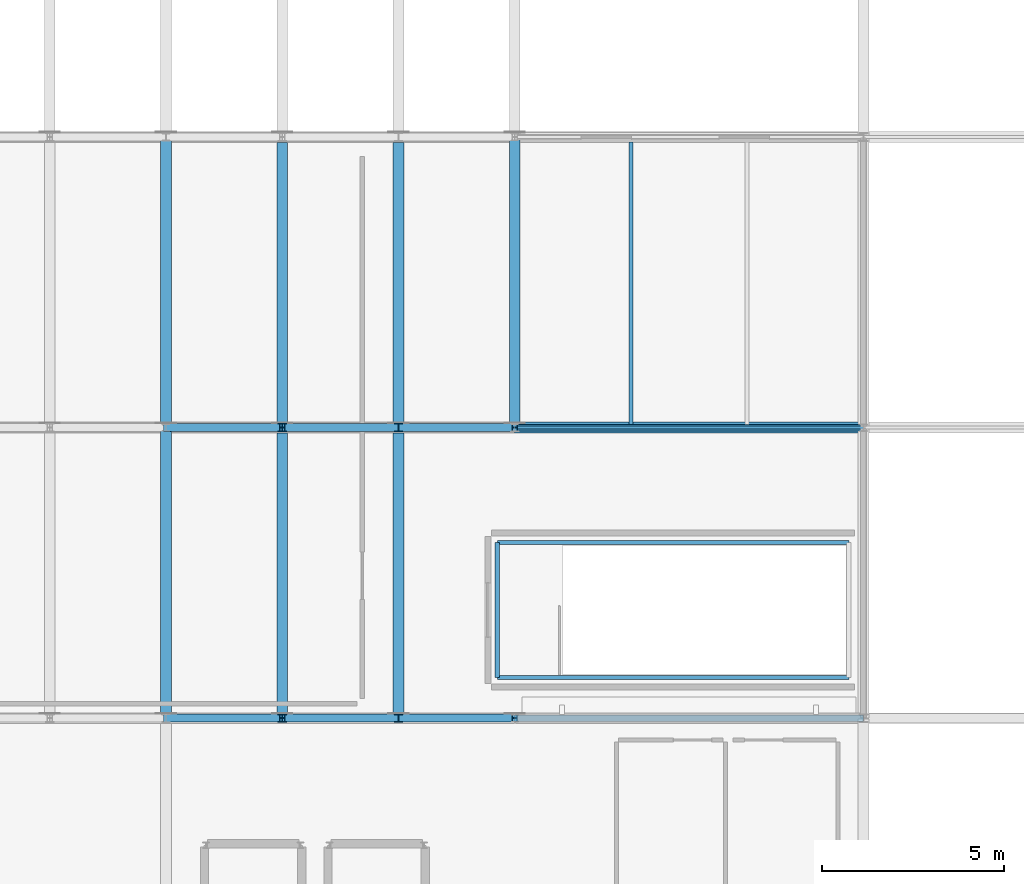
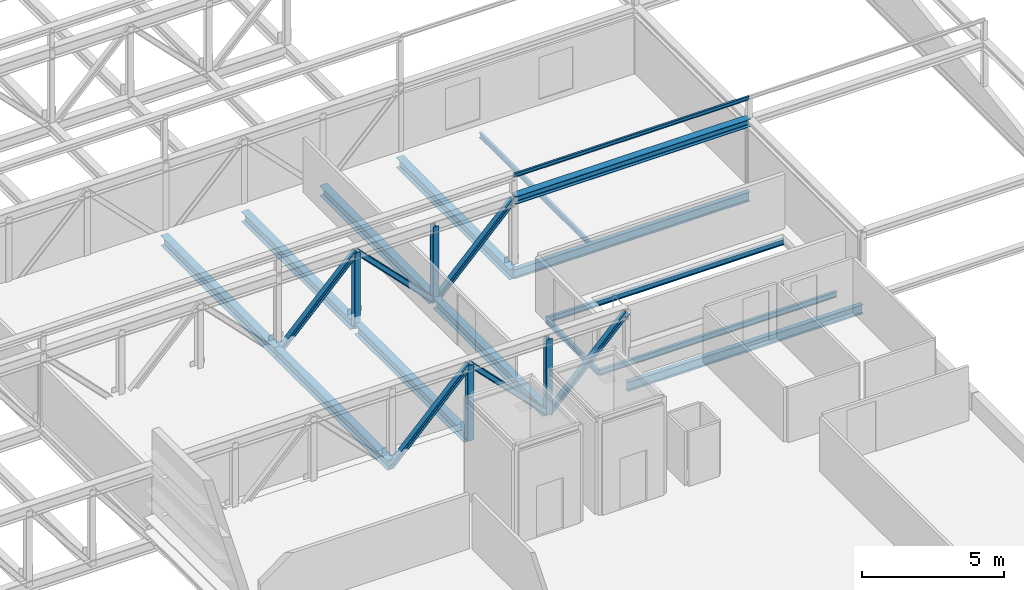
# One storey, part 15 of 34: 14 beams, 11 members.
"""IFC4 building model written with IfcOpenShell, lengths in metres."""

import ifcopenshell
import ifcopenshell.guid

model = None  # the IFC model being written
_history = None  # IfcOwnerHistory: only IFC2X3 demands one
_inside = {}  # id of a spatial element -> (the spatial element, [elements in it])
_under = {}  # id of a project, library or spatial element -> (it, [spatial elements below it])
_declared = {}  # id of a project -> (the project, [libraries it declares])
_typed = {}  # id of a type object -> (the type object, [elements of that type])
_made_of = {}  # id of a material, layer set ... -> (it, [elements and type objects made of it])


def new_model(schema):
    """Start an empty IFC model of exactly this schema.

    Asked for "IFC4X3", IfcOpenShell would pick the latest addendum, in which some entities
    have other attributes; the version numbers below select the first issue.
    IFC2X3 requires an IfcOwnerHistory on every rooted entity: one is made here for all.
    """
    global model, _history
    if schema == "IFC4X3":
        model = ifcopenshell.file(schema_version=(4, 3, 0, 0))
    else:
        model = ifcopenshell.file(schema=schema)
    _inside.clear()
    _under.clear()
    _declared.clear()
    _typed.clear()
    _made_of.clear()
    _history = None
    if model.schema == "IFC2X3":
        org = make("IfcOrganization", Name="unknown")
        user = make(
            "IfcPersonAndOrganization",
            ThePerson=make("IfcPerson", FamilyName="unknown"),
            TheOrganization=org,
        )
        app = make(
            "IfcApplication",
            ApplicationDeveloper=org,
            Version="unknown",
            ApplicationFullName="unknown",
            ApplicationIdentifier="unknown",
        )
        _history = make(
            "IfcOwnerHistory",
            OwningUser=user,
            OwningApplication=app,
            ChangeAction="ADDED",
            CreationDate=0,
        )
    return model


def make(cls, **values):
    """One entity of the class cls with the attributes given. An attribute that is None is left unset."""
    return model.create_entity(
        cls, **{name: value for name, value in values.items() if value is not None}
    )


def rooted(cls, **values):
    """An entity with a GlobalId (a new one), such as an element, a storey or a relation."""
    return make(cls, GlobalId=ifcopenshell.guid.new(), OwnerHistory=_history, **values)


def si_unit(unit_type, name, prefix=None):
    """IfcSIUnit, for example si_unit("LENGTHUNIT", "METRE", prefix="MILLI")."""
    return make("IfcSIUnit", UnitType=unit_type, Prefix=prefix, Name=name)


def assignment(units):
    """IfcUnitAssignment: the units of a project."""
    return None if units is None else make("IfcUnitAssignment", Units=units)


def point(xyz):
    """IfcCartesianPoint."""
    return None if xyz is None else make("IfcCartesianPoint", Coordinates=xyz)


def direction(xyz):
    """IfcDirection."""
    return None if xyz is None else make("IfcDirection", DirectionRatios=xyz)


def frame(location, z_axis=None, x_axis=None):
    """IfcAxis2Placement3D, a coordinate frame: its origin and axes. An axis left out is left unset."""
    return make(
        "IfcAxis2Placement3D",
        Location=point(location),
        Axis=direction(z_axis),
        RefDirection=direction(x_axis),
    )


def frame_2d(location, x_axis=None):
    """IfcAxis2Placement2D, a coordinate frame in the plane: its origin and x axis."""
    return make(
        "IfcAxis2Placement2D", Location=point(location), RefDirection=direction(x_axis)
    )


def origin():
    """The frame at (0, 0, 0) with its axes left unset."""
    return frame((0.0, 0.0, 0.0))


def origin_2d():
    """The frame at (0, 0) in the plane with its x axis left unset."""
    return frame_2d((0.0, 0.0))


def place(relative_to, where):
    """IfcLocalPlacement: puts the frame where relative to a parent placement (None: the world)."""
    return make(
        "IfcLocalPlacement", PlacementRelTo=relative_to, RelativePlacement=where
    )


def context(
    kind, dimensions, precision=None, world=None, true_north=None, identifier=None
):
    """IfcGeometricRepresentationContext, for example the 3D "Model" context."""
    return make(
        "IfcGeometricRepresentationContext",
        ContextIdentifier=identifier,
        ContextType=kind,
        CoordinateSpaceDimension=dimensions,
        Precision=precision,
        WorldCoordinateSystem=world,
        TrueNorth=true_north,
    )


def subcontext(parent, identifier, kind, view, scale=None):
    """IfcGeometricRepresentationSubContext, for example "Body" below "Model"."""
    return make(
        "IfcGeometricRepresentationSubContext",
        ContextIdentifier=identifier,
        ContextType=kind,
        ParentContext=parent,
        TargetScale=scale,
        TargetView=view,
    )


def project(units=None, contexts=None):
    """IfcProject with its units and contexts."""
    return rooted(
        "IfcProject",
        Name="project",
        RepresentationContexts=contexts,
        UnitsInContext=assignment(units),
    )


def spatial(cls, under=None, at=None, **own):
    """A site, building, storey or space (cls), placed at a placement, below another one or the project."""
    s = rooted(cls, ObjectPlacement=at, **own)
    if under is not None:
        _under.setdefault(under.id(), (under, []))[1].append(s)
    return s


def profile(cls, at=None, kind="AREA", **sizes):
    """A parametric profile (cls). Its sizes go by their IFC names, for example OverallWidth=200.0."""
    return make(cls, ProfileType=kind, Position=at, **sizes)


def i_section(**sizes):
    """IfcIShapeProfileDef."""
    return profile("IfcIShapeProfileDef", **sizes)


def extrude(swept, where, along, depth):
    """IfcExtrudedAreaSolid: the profile swept, set in the frame where, extruded along a direction by depth."""
    return make(
        "IfcExtrudedAreaSolid",
        SweptArea=swept,
        Position=where,
        ExtrudedDirection=direction(along),
        Depth=depth,
    )


def shape(context_of_items, identifier, shape_type, items):
    """IfcShapeRepresentation: the items that make up one representation, for example the "Body"."""
    return make(
        "IfcShapeRepresentation",
        ContextOfItems=context_of_items,
        RepresentationIdentifier=identifier,
        RepresentationType=shape_type,
        Items=items,
    )


def material(Name=None, Category=None):
    """IfcMaterial."""
    return make("IfcMaterial", Name=Name, Category=Category)


def material_profile(
    of_material, cross_section, Name=None, Category=None, Priority=None
):
    """IfcMaterialProfile: a cross section and its material."""
    return make(
        "IfcMaterialProfile",
        Name=Name,
        Material=of_material,
        Profile=cross_section,
        Priority=Priority,
        Category=Category,
    )


def profile_set(profiles, Name=None, composite=None):
    """IfcMaterialProfileSet."""
    return make(
        "IfcMaterialProfileSet",
        Name=Name,
        MaterialProfiles=profiles,
        CompositeProfile=composite,
    )


def made_of(thing, what):
    """Note that an element or type object is made of a material, layer set ...; save() writes the relation."""
    if what is not None:
        _made_of.setdefault(what.id(), (what, []))[1].append(thing)
    return thing


def type_object(cls, material=None, **own):
    """A type object (cls), such as IfcWallType, which elements share."""
    return made_of(rooted(cls, **own), material)


def element(
    cls,
    number,
    at=None,
    inside=None,
    cuts=None,
    type_object=None,
    material=None,
    context=None,
    identifier="Body",
    shape_type=None,
    held_by="IfcProductDefinitionShape",
    body=None,
    shapes=None,
    **own,
):
    """One element of the class cls, such as IfcWall. Its Tag is "e" and its number.

    at: its placement. inside: the storey or other place that contains it. cuts: it is an
    opening in that element (IfcRelVoidsElement). A single representation is given by context,
    identifier, shape_type and body (its items); several are given by shapes. held_by: the class
    of the entity that holds the representations. save() writes the other relations.
    """
    e = rooted(cls, Tag="e%d" % number, ObjectPlacement=at, **own)
    if body is not None:
        shapes = [shape(context, identifier, shape_type, body)]
    if shapes is not None:
        e.Representation = make(held_by, Representations=shapes)
    if inside is not None:
        _inside.setdefault(inside.id(), (inside, []))[1].append(e)
    if cuts is not None:
        rooted(
            "IfcRelVoidsElement", RelatingBuildingElement=cuts, RelatedOpeningElement=e
        )
    if type_object is not None:
        _typed.setdefault(type_object.id(), (type_object, []))[1].append(e)
    return made_of(e, material)


def aggregate(whole, parts):
    """IfcRelAggregates: a whole, such as a stair, and the parts it consists of."""
    return rooted("IfcRelAggregates", RelatingObject=whole, RelatedObjects=parts)


def save(model, path):
    """Write the relations noted so far, then the file.

    IfcRelAggregates (storeys below a building ...), IfcRelContainedInSpatialStructure (elements
    in a storey), IfcRelDefinesByType, IfcRelAssociatesMaterial and IfcRelDeclares: one each for
    every whole, place, type object, material and project.
    """
    for whole, parts in _under.values():
        aggregate(whole, parts)
    for where, things in _inside.values():
        rooted(
            "IfcRelContainedInSpatialStructure",
            RelatedElements=things,
            RelatingStructure=where,
        )
    for kind, things in _typed.values():
        rooted("IfcRelDefinesByType", RelatedObjects=things, RelatingType=kind)
    for what, things in _made_of.values():
        rooted("IfcRelAssociatesMaterial", RelatedObjects=things, RelatingMaterial=what)
    for by, libraries in _declared.values():
        rooted("IfcRelDeclares", RelatingContext=by, RelatedDefinitions=libraries)
    model.write(path)


model = new_model("IFC4")

# Units and contexts
model_context = context("Model", 3, precision=1e-05, world=origin(), true_north=direction((0.0, 1.0)))
body_context = subcontext(model_context, "Body", "Model", "MODEL_VIEW")
ifc_project = project(units=[si_unit("LENGTHUNIT", "METRE"), si_unit("AREAUNIT", "SQUARE_METRE"), si_unit("VOLUMEUNIT", "CUBIC_METRE"), si_unit("PLANEANGLEUNIT", "RADIAN"), si_unit("MASSUNIT", "GRAM", prefix="KILO")], contexts=[model_context])

# Site, building, storey
site_placement = place(None, origin())
site = spatial("IfcSite", under=ifc_project, at=site_placement, CompositionType="ELEMENT")
building_placement = place(site_placement, origin())
building = spatial("IfcBuilding", under=site, at=building_placement, Name="Alderhovde Museum", CompositionType="ELEMENT")
storey_placement = place(building_placement, frame((0.0, 0.0, 25.800048828125)))
storey = spatial("IfcBuildingStorey", under=building, at=storey_placement, Name="L05", CompositionType="ELEMENT", Elevation=25.800048828125)

# Beams
ifc_material_1 = material(Name="Steel S355J2", Category="steel")
ifc_material_profile_1 = material_profile(ifc_material_1, i_section(OverallWidth=0.300048828125, OverallDepth=0.330078125, WebThickness=0.009521484375, FlangeThickness=0.0166015625, FilletRadius=0.027099609375, at=origin_2d()), Name="HEA 340")
ifc_profile_set_1 = profile_set([ifc_material_profile_1], Name="Steel S355J2")
beam_type_1 = type_object("IfcBeamType", Name="BM-HEA340", PredefinedType="BEAM", material=ifc_profile_set_1)
beam_1_placement = place(storey_placement, frame((28.800048828125, 88.0, 2.75), z_axis=(1.0, 0.0, 0.0), x_axis=(0.0, 1.0, 0.0)))
element("IfcBeam", 1, at=beam_1_placement, inside=storey, type_object=beam_type_1, Name="L05 Vol 4 Roof Beam Y=88", PredefinedType="BEAM", context=body_context, shape_type="SweptSolid", body=[
    extrude(i_section(OverallWidth=0.300048828125, OverallDepth=0.330078125, WebThickness=0.009521484375, FlangeThickness=0.0166015625, FilletRadius=0.027099609375, at=origin_2d()), origin(), (0.0, 0.0, 1.0), 9.599853515625),
])
ifc_material_2 = material(Name="Steel S355J2", Category="steel")
ifc_material_profile_2 = material_profile(ifc_material_2, i_section(OverallWidth=0.300048828125, OverallDepth=0.43994140625, WebThickness=0.011474609375, FlangeThickness=0.02099609375, FilletRadius=0.027099609375, at=origin_2d()), Name="HEA 450")
ifc_profile_set_2 = profile_set([ifc_material_profile_2], Name="Steel S355J2")
beam_type_2 = type_object("IfcBeamType", Name="BM-HEA450", PredefinedType="BEAM", material=ifc_profile_set_2)
for number, where, z_axis, x_axis, name in (
    (2, (19.199951171875, 80.0, -0.47998046875), (0.0, 1.0, 0.0), (-1.0, 0.0, 0.0), "L05 Transfer Transverse Beam X=19.2"),
    (3, (19.199951171875, 88.0, -0.47998046875), (0.0, 1.0, 0.0), (-1.0, 0.0, 0.0), "L05 Transfer Transverse Beam X=19.2"),
):
    element("IfcBeam", number, at=place(storey_placement, frame(where, z_axis=z_axis, x_axis=x_axis)), inside=storey, type_object=beam_type_2, Name=name, PredefinedType="BEAM", context=body_context, shape_type="SweptSolid", body=[
        extrude(i_section(OverallWidth=0.300048828125, OverallDepth=0.43994140625, WebThickness=0.011474609375, FlangeThickness=0.02099609375, FilletRadius=0.027099609375, at=origin_2d()), origin(), (0.0, 0.0, 1.0), 8.0),
    ])
for number, where, z_axis, x_axis, name in (
    (4, (22.39990234375, 80.14990234375, -0.47998046875), (0.0, 1.0, 0.0), (-1.0, 0.0, 0.0), "L05 Transfer Transverse Beam X=22.4"),
    (5, (22.39990234375, 88.14990234375, -0.47998046875), (0.0, 1.0, 0.0), (-1.0, 0.0, 0.0), "L05 Transfer Transverse Beam X=22.4"),
    (6, (25.60009765625, 80.14990234375, -0.47998046875), (0.0, 1.0, 0.0), (-1.0, 0.0, 0.0), "L05 Transfer Transverse Beam X=25.6"),
    (7, (25.60009765625, 88.14990234375, -0.47998046875), (0.0, 1.0, 0.0), (-1.0, 0.0, 0.0), "L05 Transfer Transverse Beam X=25.6"),
):
    element("IfcBeam", number, at=place(storey_placement, frame(where, z_axis=z_axis, x_axis=x_axis)), inside=storey, type_object=beam_type_2, Name=name, PredefinedType="BEAM", context=body_context, shape_type="SweptSolid", body=[
        extrude(i_section(OverallWidth=0.300048828125, OverallDepth=0.43994140625, WebThickness=0.011474609375, FlangeThickness=0.02099609375, FilletRadius=0.027099609375, at=origin_2d()), origin(), (0.0, 0.0, 1.0), 7.7001953125),
    ])
beam_2_placement = place(storey_placement, frame((28.800048828125, 88.0, -0.47998046875), z_axis=(0.0, 1.0, 0.0), x_axis=(-1.0, 0.0, 0.0)))
element("IfcBeam", 8, at=beam_2_placement, inside=storey, type_object=beam_type_2, Name="L05 Transfer Transverse Beam X=28.8", PredefinedType="BEAM", context=body_context, shape_type="SweptSolid", body=[
    extrude(i_section(OverallWidth=0.300048828125, OverallDepth=0.43994140625, WebThickness=0.011474609375, FlangeThickness=0.02099609375, FilletRadius=0.027099609375, at=origin_2d()), origin(), (0.0, 0.0, 1.0), 8.0),
])
ifc_material_3 = material(Name="Steel S355J2", Category="steel")
ifc_material_profile_3 = material_profile(ifc_material_3, i_section(OverallWidth=0.1201171875, OverallDepth=0.239990234375, WebThickness=0.006103515625, FlangeThickness=0.009765625, FilletRadius=0.014892578125, at=origin_2d()), Name="IPE 240")
ifc_profile_set_3 = profile_set([ifc_material_profile_3], Name="Steel S355J2")
beam_type_3 = type_object("IfcBeamType", Name="BM-IPE240", PredefinedType="BEAM", material=ifc_profile_set_3)
for number, where, z_axis, x_axis, name in (
    (9, (28.320068359375, 81.1201171875, -0.380126953125), (1.0, 0.0, 0.0), (0.0, 1.0, 0.0), "L05 Stair ST2 Floor Trimmer S"),
    (10, (28.320068359375, 84.840087890625, -0.380126953125), (1.0, 0.0, 0.0), (0.0, 1.0, 0.0), "L05 Stair ST2 Floor Trimmer N"),
):
    element("IfcBeam", number, at=place(storey_placement, frame(where, z_axis=z_axis, x_axis=x_axis)), inside=storey, type_object=beam_type_3, Name=name, PredefinedType="BEAM", context=body_context, shape_type="SweptSolid", body=[
        extrude(i_section(OverallWidth=0.1201171875, OverallDepth=0.239990234375, WebThickness=0.006103515625, FlangeThickness=0.009765625, FilletRadius=0.014892578125, at=origin_2d()), origin(), (0.0, 0.0, 1.0), 9.679931640625),
    ])
beam_3_placement = place(storey_placement, frame((28.320068359375, 81.1201171875, -0.380126953125), z_axis=(0.0, 1.0, 0.0), x_axis=(-1.0, 0.0, 0.0)))
element("IfcBeam", 11, at=beam_3_placement, inside=storey, type_object=beam_type_3, Name="L05 Stair ST2 Floor Trimmer W", PredefinedType="BEAM", context=body_context, shape_type="SweptSolid", body=[
    extrude(i_section(OverallWidth=0.1201171875, OverallDepth=0.239990234375, WebThickness=0.006103515625, FlangeThickness=0.009765625, FilletRadius=0.014892578125, at=origin_2d()), origin(), (0.0, 0.0, 1.0), 3.719970703125),
])
ifc_material_4 = material(Name="Steel S355J2", Category="steel")
ifc_material_profile_4 = material_profile(ifc_material_4, i_section(OverallWidth=0.179931640625, OverallDepth=0.39990234375, WebThickness=0.008544921875, FlangeThickness=0.013427734375, FilletRadius=0.02099609375, at=origin_2d()), Name="IPE 400")
ifc_profile_set_4 = profile_set([ifc_material_profile_4], Name="Steel S355J2")
beam_type_4 = type_object("IfcBeamType", Name="BM-IPE400", PredefinedType="BEAM", material=ifc_profile_set_4)
for number, where, z_axis, x_axis, name in (
    (12, (28.800048828125, 80.0, -0.4599609375), (1.0, 0.0, 0.0), (0.0, 1.0, 0.0), "L05 Grid Beam Y=80.0 (28.8 TO 38.4)"),
    (13, (28.800048828125, 88.0, -0.4599609375), (1.0, 0.0, 0.0), (0.0, 1.0, 0.0), "L05 Grid Beam Y=88.0 (28.8 TO 38.4)"),
):
    element("IfcBeam", number, at=place(storey_placement, frame(where, z_axis=z_axis, x_axis=x_axis)), inside=storey, type_object=beam_type_4, Name=name, PredefinedType="BEAM", context=body_context, shape_type="SweptSolid", body=[
        extrude(i_section(OverallWidth=0.179931640625, OverallDepth=0.39990234375, WebThickness=0.008544921875, FlangeThickness=0.013427734375, FilletRadius=0.02099609375, at=origin_2d()), origin(), (0.0, 0.0, 1.0), 9.599853515625),
    ])
ifc_material_5 = material(Name="Steel S355J2", Category="steel")
ifc_material_profile_5 = material_profile(ifc_material_5, i_section(OverallWidth=0.110107421875, OverallDepth=0.219970703125, WebThickness=0.005859375, FlangeThickness=0.00927734375, FilletRadius=0.011962890625, at=origin_2d()), Name="IPE 220")
ifc_profile_set_5 = profile_set([ifc_material_profile_5], Name="Steel S355J2")
beam_type_5 = type_object("IfcBeamType", Name="JST-IPE220", PredefinedType="JOIST", material=ifc_profile_set_5)
beam_4_placement = place(storey_placement, frame((32.0, 88.090087890625, -0.3701171875), z_axis=(0.0, 1.0, 0.0), x_axis=(-1.0, 0.0, 0.0)))
element("IfcBeam", 14, at=beam_4_placement, inside=storey, type_object=beam_type_5, Name="L05 Composite Joist X=32.0 (88.0 TO 96.0)", PredefinedType="JOIST", context=body_context, shape_type="SweptSolid", body=[
    extrude(i_section(OverallWidth=0.110107421875, OverallDepth=0.219970703125, WebThickness=0.005859375, FlangeThickness=0.00927734375, FilletRadius=0.011962890625, at=origin_2d()), origin(), (0.0, 0.0, 1.0), 7.780029296875),
])

# Members
ifc_material_6 = material(Name="Steel S355J2", Category="steel")
ifc_material_profile_6 = material_profile(ifc_material_6, i_section(OverallWidth=0.08203125, OverallDepth=0.159912109375, WebThickness=0.0048828125, FlangeThickness=0.00732421875, FilletRadius=0.009033203125, at=origin_2d()), Name="IPE 160")
ifc_profile_set_6 = profile_set([ifc_material_profile_6], Name="Steel S355J2")
member_type_1 = type_object("IfcMemberType", Name="PRL-IPE160", PredefinedType="PURLIN", material=ifc_profile_set_6)
member_1_placement = place(storey_placement, frame((28.800048828125, 88.0, 3.75), z_axis=(1.0, 0.0, 0.0), x_axis=(0.0, 1.0, 0.0)))
element("IfcMember", 15, at=member_1_placement, inside=storey, type_object=member_type_1, Name="Cantilever Wing Roof Purlin Y=88", PredefinedType="PURLIN", context=body_context, shape_type="SweptSolid", body=[
    extrude(i_section(OverallWidth=0.08203125, OverallDepth=0.159912109375, WebThickness=0.0048828125, FlangeThickness=0.00732421875, FilletRadius=0.009033203125, at=origin_2d()), origin(), (0.0, 0.0, 1.0), 9.599853515625),
])
ifc_material_7 = material(Name="Steel S355J2", Category="steel")
ifc_material_profile_7 = material_profile(ifc_material_7, i_section(OverallWidth=0.219970703125, OverallDepth=0.2099609375, WebThickness=0.007080078125, FlangeThickness=0.010986328125, FilletRadius=0.01806640625, at=origin_2d()), Name="HEA 220")
ifc_profile_set_7 = profile_set([ifc_material_profile_7], Name="Steel S355J2")
member_type_2 = type_object("IfcMemberType", Name="TR-DG-HEA220", PredefinedType="RAFTER", material=ifc_profile_set_7)
member_2_placement = place(storey_placement, frame((19.199951171875, 80.0, -0.510009765625), z_axis=(0.700502499188, 0.0, 0.713649948246), x_axis=(0.0, 1.0, 0.0)))
element("IfcMember", 16, at=member_2_placement, inside=storey, type_object=member_type_2, Name="Transfer Truss Y=80 T3 Diagonal 7", PredefinedType="RAFTER", context=body_context, shape_type="SweptSolid", body=[
    extrude(i_section(OverallWidth=0.219970703125, OverallDepth=0.2099609375, WebThickness=0.007080078125, FlangeThickness=0.010986328125, FilletRadius=0.01806640625, at=origin_2d()), origin(), (0.0, 0.0, 1.0), 4.568115234375),
])
member_3_placement = place(storey_placement, frame((22.39990234375, 80.0, 2.75), z_axis=(0.700529716954, 0.0, -0.713623230889), x_axis=(0.0, 1.0, 0.0)))
element("IfcMember", 17, at=member_3_placement, inside=storey, type_object=member_type_2, Name="Transfer Truss Y=80 T3 Diagonal 8", PredefinedType="RAFTER", context=body_context, shape_type="SweptSolid", body=[
    extrude(i_section(OverallWidth=0.219970703125, OverallDepth=0.2099609375, WebThickness=0.007080078125, FlangeThickness=0.010986328125, FilletRadius=0.01806640625, at=origin_2d()), origin(), (0.0, 0.0, 1.0), 4.568359375),
])
for number, where, z_axis, x_axis, name in (
    (18, (25.60009765625, 80.0, -0.510009765625), (0.700502499188, 0.0, 0.713649948246), (0.0, 1.0, 0.0), "Transfer Truss Y=80 T3 Diagonal 9"),
    (19, (19.199951171875, 88.0, -0.510009765625), (0.700502499188, 0.0, 0.713649948246), (0.0, 1.0, 0.0), "Transfer Truss Y=88 T3 Diagonal 7"),
):
    element("IfcMember", number, at=place(storey_placement, frame(where, z_axis=z_axis, x_axis=x_axis)), inside=storey, type_object=member_type_2, Name=name, PredefinedType="RAFTER", context=body_context, shape_type="SweptSolid", body=[
        extrude(i_section(OverallWidth=0.219970703125, OverallDepth=0.2099609375, WebThickness=0.007080078125, FlangeThickness=0.010986328125, FilletRadius=0.01806640625, at=origin_2d()), origin(), (0.0, 0.0, 1.0), 4.568115234375),
    ])
member_4_placement = place(storey_placement, frame((22.39990234375, 88.0, 2.75), z_axis=(0.700529716954, 0.0, -0.713623230889), x_axis=(0.0, 1.0, 0.0)))
element("IfcMember", 20, at=member_4_placement, inside=storey, type_object=member_type_2, Name="Transfer Truss Y=88 T3 Diagonal 8", PredefinedType="RAFTER", context=body_context, shape_type="SweptSolid", body=[
    extrude(i_section(OverallWidth=0.219970703125, OverallDepth=0.2099609375, WebThickness=0.007080078125, FlangeThickness=0.010986328125, FilletRadius=0.01806640625, at=origin_2d()), origin(), (0.0, 0.0, 1.0), 4.568359375),
])
member_5_placement = place(storey_placement, frame((25.60009765625, 88.0, -0.510009765625), z_axis=(0.700502499188, 0.0, 0.713649948246), x_axis=(0.0, 1.0, 0.0)))
element("IfcMember", 21, at=member_5_placement, inside=storey, type_object=member_type_2, Name="Transfer Truss Y=88 T3 Diagonal 9", PredefinedType="RAFTER", context=body_context, shape_type="SweptSolid", body=[
    extrude(i_section(OverallWidth=0.219970703125, OverallDepth=0.2099609375, WebThickness=0.007080078125, FlangeThickness=0.010986328125, FilletRadius=0.01806640625, at=origin_2d()), origin(), (0.0, 0.0, 1.0), 4.568115234375),
])
ifc_material_8 = material(Name="Steel S355J2", Category="steel")
ifc_material_profile_8 = material_profile(ifc_material_8, i_section(OverallWidth=0.239990234375, OverallDepth=0.22998046875, WebThickness=0.007568359375, FlangeThickness=0.011962890625, FilletRadius=0.02099609375, at=origin_2d()), Name="HEA 240")
ifc_profile_set_8 = profile_set([ifc_material_profile_8], Name="Steel S355J2")
member_type_3 = type_object("IfcMemberType", Name="TR-PS-HEA240", PredefinedType="POST", material=ifc_profile_set_8)
for number, where, z_axis, x_axis, name in (
    (22, (22.39990234375, 80.0, -0.510009765625), (0.0, 0.0, 1.0), (1.0, 0.0, 0.0), "Transfer Truss Y=80 T3 Post 8"),
    (23, (25.60009765625, 80.0, -0.510009765625), (0.0, 0.0, 1.0), (1.0, 0.0, 0.0), "Transfer Truss Y=80 T3 Post 9"),
    (24, (22.39990234375, 88.0, -0.510009765625), (0.0, 0.0, 1.0), (1.0, 0.0, 0.0), "Transfer Truss Y=88 T3 Post 8"),
    (25, (25.60009765625, 88.0, -0.510009765625), (0.0, 0.0, 1.0), (1.0, 0.0, 0.0), "Transfer Truss Y=88 T3 Post 9"),
):
    element("IfcMember", number, at=place(storey_placement, frame(where, z_axis=z_axis, x_axis=x_axis)), inside=storey, type_object=member_type_3, Name=name, PredefinedType="POST", context=body_context, shape_type="SweptSolid", body=[
        extrude(i_section(OverallWidth=0.239990234375, OverallDepth=0.22998046875, WebThickness=0.007568359375, FlangeThickness=0.011962890625, FilletRadius=0.02099609375, at=origin_2d()), origin(), (0.0, 0.0, 1.0), 3.260009765625),
    ])

save(model, "model.ifc")
